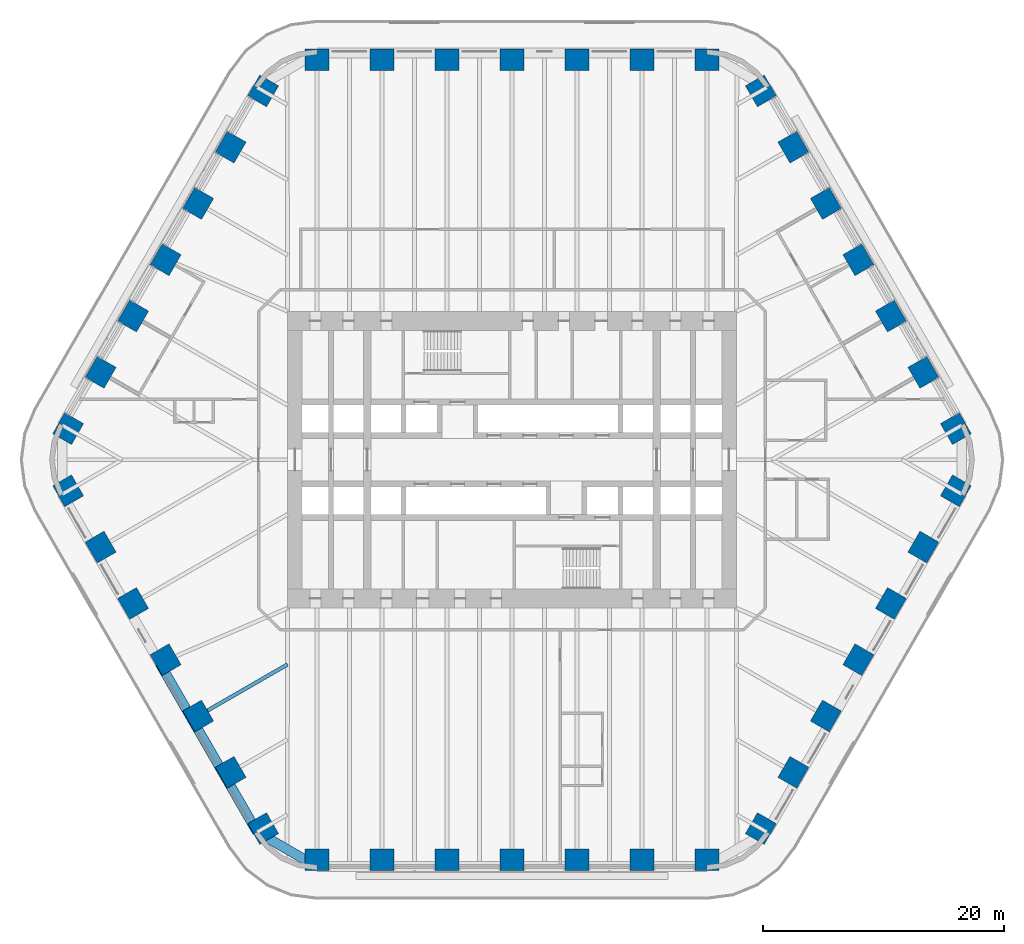
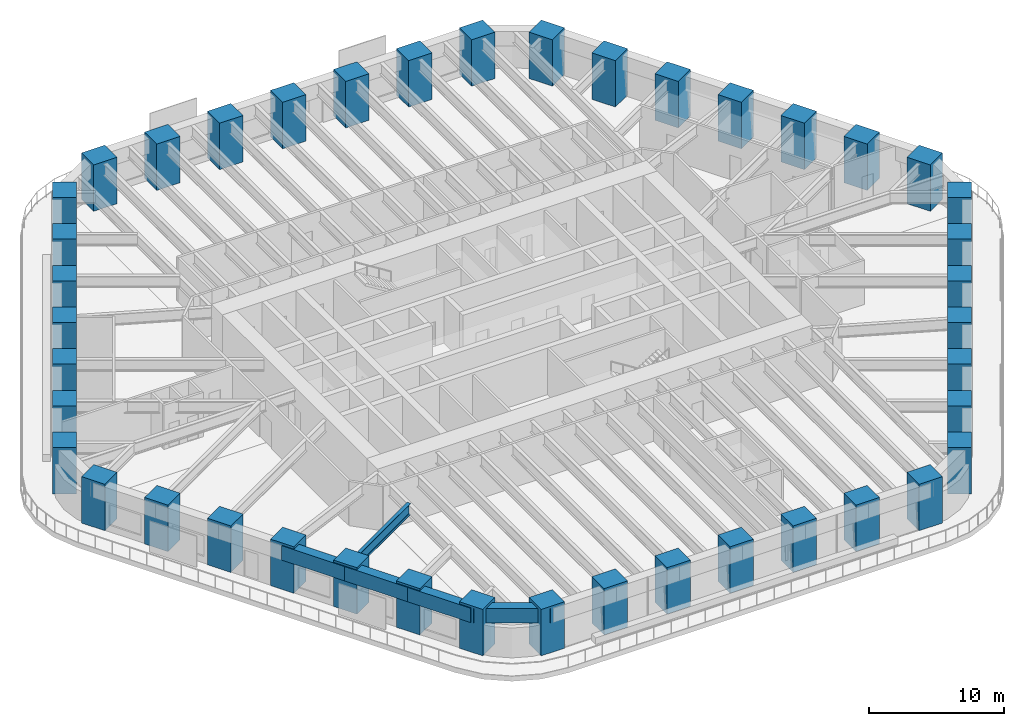
# One storey, part 1 of 23: 42 columns, 5 beams.
"""IFC4 building model written with IfcOpenShell, lengths in metres."""

from ifc_helpers import new_model, si_unit, direction, frame, origin, origin_2d, place, context, subcontext, project, spatial, rectangle, i_section, extrude, material, material_profile, profile_set, type_object, element, save


model = new_model("IFC4")

# Units and contexts
model_context = context("Model", 3, precision=1e-05, world=origin(), true_north=direction((0.0, 1.0)))
body_context = subcontext(model_context, "Body", "Model", "MODEL_VIEW")
ifc_project = project(units=[si_unit("LENGTHUNIT", "METRE"), si_unit("AREAUNIT", "SQUARE_METRE"), si_unit("VOLUMEUNIT", "CUBIC_METRE"), si_unit("PLANEANGLEUNIT", "RADIAN"), si_unit("MASSUNIT", "GRAM", prefix="KILO")], contexts=[model_context])

# Site, building, storey
site_placement = place(None, origin())
site = spatial("IfcSite", under=ifc_project, at=site_placement, CompositionType="ELEMENT")
building_placement = place(site_placement, origin())
building = spatial("IfcBuilding", under=site, at=building_placement, Name="Tarfa Lantern Tower", CompositionType="ELEMENT")
storey_placement = place(building_placement, frame((0.0, 0.0, 44.5)))
storey = spatial("IfcBuildingStorey", under=building, at=storey_placement, Name="L09", CompositionType="ELEMENT", Elevation=44.5)

# Columns
ifc_material_1 = material(Name="Concrete C80/95", Category="concrete")
ifc_material_profile_1 = material_profile(ifc_material_1, rectangle(XDim=2.0, YDim=1.800048828125, at=origin_2d()), Name="RC 2000x1800")
ifc_profile_set_1 = profile_set([ifc_material_profile_1], Name="Concrete C80/95")
column_type = type_object("IfcColumnType", Name="TC2 RC 2000x1800", PredefinedType="COLUMN", material=ifc_profile_set_1)
for number, where, z_axis, x_axis, name in (
    (1, (36.791748046875, 2.574951171875, 0.0), (0.0, 0.0, 1.0), (-0.5, 0.866025403784, 0.0), "Tube column NE0"),
    (2, (34.097412109375, 7.24169921875, 0.0), (0.0, 0.0, 1.0), (-0.5, 0.866025403784, 0.0), "Tube column NE1"),
    (3, (31.403076171875, 11.908447265625, 0.0), (0.0, 0.0, 1.0), (-0.5, 0.866025403784, 0.0), "Tube column NE2"),
    (4, (28.708740234375, 16.574951171875, 0.0), (0.0, 0.0, 1.0), (-0.5, 0.866025403784, 0.0), "Tube column NE3"),
    (5, (26.014404296875, 21.24169921875, 0.0), (0.0, 0.0, 1.0), (-0.5, 0.866025403784, 0.0), "Tube column NE4"),
    (6, (23.320068359375, 25.908447265625, 0.0), (0.0, 0.0, 1.0), (-0.5, 0.866025403784, 0.0), "Tube column NE5"),
    (7, (20.625732421875, 30.574951171875, 0.0), (0.0, 0.0, 1.0), (-0.5, 0.866025403784, 0.0), "Tube column NE6"),
    (8, (16.165771484375, 33.14990234375, 0.0), (0.0, 0.0, 1.0), (-1.0, 0.0, 0.0), "Tube column N0"),
    (9, (10.777099609375, 33.14990234375, 0.0), (0.0, 0.0, 1.0), (-1.0, 0.0, 0.0), "Tube column N1"),
    (10, (5.388671875, 33.14990234375, 0.0), (0.0, 0.0, 1.0), (-1.0, 0.0, 0.0), "Tube column N2"),
    (11, (0.0, 33.14990234375, 0.0), (0.0, 0.0, 1.0), (-1.0, 0.0, 0.0), "Tube column N3"),
    (12, (-5.388671875, 33.14990234375, 0.0), (0.0, 0.0, 1.0), (-1.0, 0.0, 0.0), "Tube column N4"),
    (13, (-10.777099609375, 33.14990234375, 0.0), (0.0, 0.0, 1.0), (-1.0, 0.0, 0.0), "Tube column N5"),
    (14, (-16.165771484375, 33.14990234375, 0.0), (0.0, 0.0, 1.0), (-1.0, 0.0, 0.0), "Tube column N6"),
    (15, (-20.625732421875, 30.574951171875, 0.0), (0.0, 0.0, 1.0), (-0.5, -0.866025403784, 0.0), "Tube column NW0"),
    (16, (-23.320068359375, 25.908447265625, 0.0), (0.0, 0.0, 1.0), (-0.5, -0.866025403784, 0.0), "Tube column NW1"),
    (17, (-26.014404296875, 21.24169921875, 0.0), (0.0, 0.0, 1.0), (-0.5, -0.866025403784, 0.0), "Tube column NW2"),
    (18, (-28.708740234375, 16.574951171875, 0.0), (0.0, 0.0, 1.0), (-0.5, -0.866025403784, 0.0), "Tube column NW3"),
    (19, (-31.403076171875, 11.908447265625, 0.0), (0.0, 0.0, 1.0), (-0.5, -0.866025403784, 0.0), "Tube column NW4"),
    (20, (-34.097412109375, 7.24169921875, 0.0), (0.0, 0.0, 1.0), (-0.5, -0.866025403784, 0.0), "Tube column NW5"),
    (21, (-36.791748046875, 2.574951171875, 0.0), (0.0, 0.0, 1.0), (-0.5, -0.866025403784, 0.0), "Tube column NW6"),
    (22, (-36.791748046875, -2.574951171875, 0.0), (0.0, 0.0, 1.0), (0.5, -0.866025403784, 0.0), "Tube column SW0"),
    (23, (-34.097412109375, -7.24169921875, 0.0), (0.0, 0.0, 1.0), (0.5, -0.866025403784, 0.0), "Tube column SW1"),
    (24, (-31.403076171875, -11.908447265625, 0.0), (0.0, 0.0, 1.0), (0.5, -0.866025403784, 0.0), "Tube column SW2"),
    (25, (-28.708740234375, -16.574951171875, 0.0), (0.0, 0.0, 1.0), (0.5, -0.866025403784, 0.0), "Tube column SW3"),
    (26, (-26.014404296875, -21.24169921875, 0.0), (0.0, 0.0, 1.0), (0.5, -0.866025403784, 0.0), "Tube column SW4"),
    (27, (-23.320068359375, -25.908447265625, 0.0), (0.0, 0.0, 1.0), (0.5, -0.866025403784, 0.0), "Tube column SW5"),
    (28, (-20.625732421875, -30.574951171875, 0.0), (0.0, 0.0, 1.0), (0.5, -0.866025403784, 0.0), "Tube column SW6"),
    (29, (-16.165771484375, -33.14990234375, 0.0), (0.0, 0.0, 1.0), (1.0, 0.0, 0.0), "Tube column S0"),
    (30, (-10.777099609375, -33.14990234375, 0.0), (0.0, 0.0, 1.0), (1.0, 0.0, 0.0), "Tube column S1"),
    (31, (-5.388671875, -33.14990234375, 0.0), (0.0, 0.0, 1.0), (1.0, 0.0, 0.0), "Tube column S2"),
    (32, (0.0, -33.14990234375, 0.0), (0.0, 0.0, 1.0), (1.0, 0.0, 0.0), "Tube column S3"),
    (33, (5.388671875, -33.14990234375, 0.0), (0.0, 0.0, 1.0), (1.0, 0.0, 0.0), "Tube column S4"),
    (34, (10.777099609375, -33.14990234375, 0.0), (0.0, 0.0, 1.0), (1.0, 0.0, 0.0), "Tube column S5"),
    (35, (16.165771484375, -33.14990234375, 0.0), (0.0, 0.0, 1.0), (1.0, 0.0, 0.0), "Tube column S6"),
    (36, (20.625732421875, -30.574951171875, 0.0), (0.0, 0.0, 1.0), (0.5, 0.866025403784, 0.0), "Tube column SE0"),
    (37, (23.320068359375, -25.908447265625, 0.0), (0.0, 0.0, 1.0), (0.5, 0.866025403784, 0.0), "Tube column SE1"),
    (38, (26.014404296875, -21.24169921875, 0.0), (0.0, 0.0, 1.0), (0.5, 0.866025403784, 0.0), "Tube column SE2"),
    (39, (28.708740234375, -16.574951171875, 0.0), (0.0, 0.0, 1.0), (0.5, 0.866025403784, 0.0), "Tube column SE3"),
    (40, (31.403076171875, -11.908447265625, 0.0), (0.0, 0.0, 1.0), (0.5, 0.866025403784, 0.0), "Tube column SE4"),
    (41, (34.097412109375, -7.24169921875, 0.0), (0.0, 0.0, 1.0), (0.5, 0.866025403784, 0.0), "Tube column SE5"),
    (42, (36.791748046875, -2.574951171875, 0.0), (0.0, 0.0, 1.0), (0.5, 0.866025403784, 0.0), "Tube column SE6"),
):
    element("IfcColumn", number, at=place(storey_placement, frame(where, z_axis=z_axis, x_axis=x_axis)), inside=storey, type_object=column_type, Name=name, PredefinedType="COLUMN", context=body_context, shape_type="SweptSolid", body=[
        extrude(rectangle(XDim=2.0, YDim=1.800048828125, at=origin_2d()), origin(), (0.0, 0.0, 1.0), 4.199951171875),
    ])

# Beams
ifc_material_profile_2 = material_profile(ifc_material_1, rectangle(XDim=0.800048828125, YDim=1.300048828125, at=origin_2d()), Name="RC 800x1300")
ifc_profile_set_2 = profile_set([ifc_material_profile_2], Name="Concrete C80/95")
beam_type_1 = type_object("IfcBeamType", Name="EB1 RC 800x1300", PredefinedType="SPANDREL", material=ifc_profile_set_2)
beam_1_placement = place(storey_placement, frame((-29.202392578125, -16.860107421875, 3.35009765625), z_axis=(0.500017906299, -0.866015065331, 0.0), x_axis=(0.866015065331, 0.500017906299, 0.0)))
element("IfcBeam", 43, at=beam_1_placement, inside=storey, type_object=beam_type_1, Name="Edge beam SW3", PredefinedType="SPANDREL", context=body_context, shape_type="SweptSolid", body=[
    extrude(rectangle(XDim=0.800048828125, YDim=1.300048828125, at=origin_2d()), origin(), (0.0, 0.0, 1.0), 5.388427734375),
])
for number, where, z_axis, x_axis, name in (
    (44, (-26.508056640625, -21.526611328125, 3.35009765625), (0.499998287579, -0.866026392449, 0.0), (0.866026392449, 0.499998287579, 0.0), "Edge beam SW4"),
    (45, (-23.813720703125, -26.193359375, 3.35009765625), (0.499998287579, -0.866026392449, 0.0), (0.866026392449, 0.499998287579, 0.0), "Edge beam SW5"),
):
    element("IfcBeam", number, at=place(storey_placement, frame(where, z_axis=z_axis, x_axis=x_axis)), inside=storey, type_object=beam_type_1, Name=name, PredefinedType="SPANDREL", context=body_context, shape_type="SweptSolid", body=[
        extrude(rectangle(XDim=0.800048828125, YDim=1.300048828125, at=origin_2d()), origin(), (0.0, 0.0, 1.0), 5.388671875),
    ])
beam_2_placement = place(storey_placement, frame((-21.119384765625, -30.860107421875, 3.35009765625), z_axis=(0.866033479681, -0.499986011877, 0.0), x_axis=(0.499986011877, 0.866033479681, 0.0)))
element("IfcBeam", 46, at=beam_2_placement, inside=storey, type_object=beam_type_1, Name="Edge beam SW6", PredefinedType="SPANDREL", context=body_context, shape_type="SweptSolid", body=[
    extrude(rectangle(XDim=0.800048828125, YDim=1.300048828125, at=origin_2d()), origin(), (0.0, 0.0, 1.0), 5.719970703125),
])
ifc_material_2 = material(Name="Steel S460M", Category="steel")
ifc_material_profile_3 = material_profile(ifc_material_2, i_section(OverallWidth=0.302001953125, OverallDepth=1.008056640625, WebThickness=0.02099609375, FlangeThickness=0.0400390625, FilletRadius=0.030029296875, at=origin_2d()), Name="UB1016x305x349")
ifc_profile_set_3 = profile_set([ifc_material_profile_3], Name="Steel S460M")
beam_type_2 = type_object("IfcBeamType", Name="UB1016x305x349", PredefinedType="BEAM", material=ifc_profile_set_3)
beam_3_placement = place(storey_placement, frame((-26.508056640625, -21.526611328125, 3.495849609375), z_axis=(0.866035355799, 0.49998276221, 0.0), x_axis=(-0.49998276221, 0.866035355799, 0.0)))
element("IfcBeam", 47, at=beam_3_placement, inside=storey, type_object=beam_type_2, Name="Floor beam SW4", PredefinedType="BEAM", context=body_context, shape_type="SweptSolid", body=[
    extrude(i_section(OverallWidth=0.302001953125, OverallDepth=1.008056640625, WebThickness=0.02099609375, FlangeThickness=0.0400390625, FilletRadius=0.030029296875, at=origin_2d()), origin(), (0.0, 0.0, 1.0), 9.119873046875),
])

save(model, "model.ifc")
